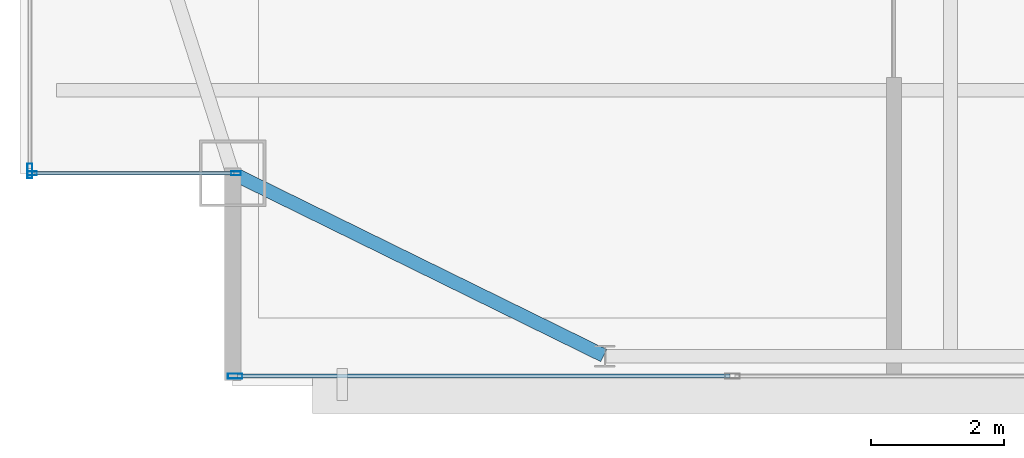
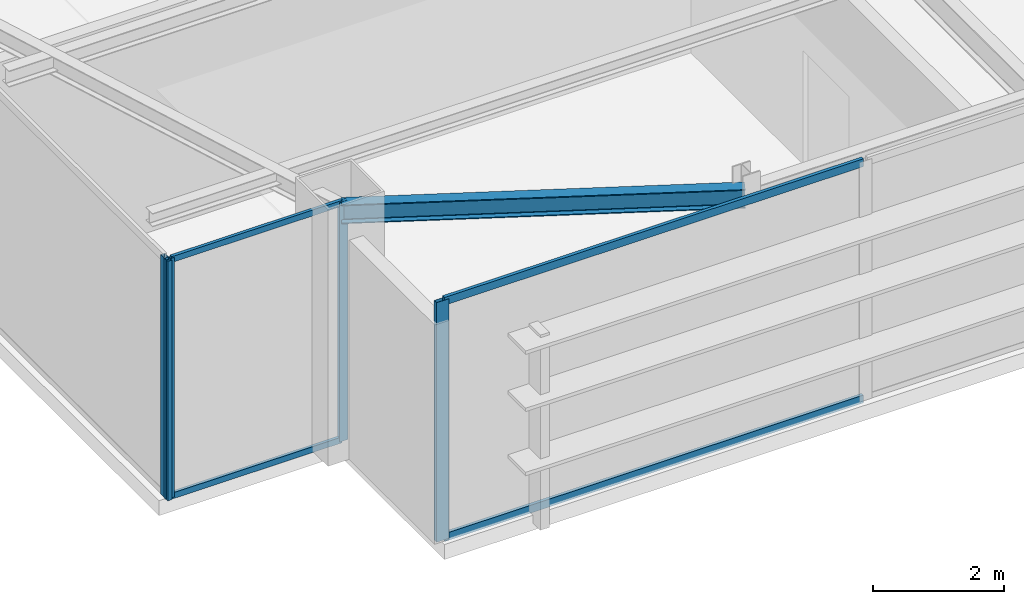
# One storey, part 4 of 20: 8 members, 1 beam, 3 elements without a shape of their own.
"""IFC4 building model written with IfcOpenShell, lengths in metres."""

from ifc_helpers import new_model, si_unit, direction, frame, origin, origin_2d, place, context, subcontext, project, spatial, hollow_rectangle, i_section, extrude, source, transform, mapped, material, layer, layer_set, material_profile, profile_set, type_object, type_shapes, element, aggregate, save


model = new_model("IFC4")

# Units and contexts
model_context = context("Model", 3, precision=1e-05, world=origin(), true_north=direction((0.0, 1.0)))
body_context = subcontext(model_context, "Body", "Model", "MODEL_VIEW")
ifc_project = project(units=[si_unit("LENGTHUNIT", "METRE"), si_unit("AREAUNIT", "SQUARE_METRE"), si_unit("VOLUMEUNIT", "CUBIC_METRE"), si_unit("PLANEANGLEUNIT", "RADIAN"), si_unit("MASSUNIT", "GRAM", prefix="KILO")], contexts=[model_context])

# Site, building, storey
site_placement = place(None, origin())
site = spatial("IfcSite", under=ifc_project, at=site_placement, CompositionType="ELEMENT")
building_placement = place(site_placement, origin())
building = spatial("IfcBuilding", under=site, at=building_placement, Name="Varnel Quay Broadcast Tower", CompositionType="ELEMENT")
storey_placement = place(building_placement, frame((0.0, 0.0, 309.800048828125)))
storey = spatial("IfcBuildingStorey", under=building, at=storey_placement, Name="L77", CompositionType="ELEMENT", Elevation=309.800048828125)

# Beam
ifc_material_1 = material(Name="Structural Steel CSA G40.21 350W", Category="steel")
ifc_material_profile_1 = material_profile(ifc_material_1, i_section(OverallWidth=0.205078125, OverallDepth=0.35400390625, WebThickness=0.009521484375, FlangeThickness=0.016845703125, FilletRadius=0.012939453125, at=origin_2d()), Name="W360X79")
ifc_profile_set_1 = profile_set([ifc_material_profile_1], Name="Structural Steel CSA G40.21 350W")
beam_type = type_object("IfcBeamType", Name="Beam_W360X79", PredefinedType="SPANDREL", material=ifc_profile_set_1)
shared_shape_1 = source(origin(), body_context, "Body", "SweptSolid", [
    extrude(i_section(OverallWidth=0.205078125, OverallDepth=0.35400390625, WebThickness=0.009521484375, FlangeThickness=0.016845703125, FilletRadius=0.012939453125, at=origin_2d()), origin(), (0.0, 0.0, 1.0), 6.19873046875),
])
type_shapes(beam_type, [shared_shape_1])
beam_placement = place(storey_placement, frame((15.218017578125, 16.39111328125, 4.302978515625), z_axis=(0.897602447358, -0.440805905697, 0.0), x_axis=(0.440805905697, 0.897602447358, 0.0)))
element("IfcBeam", 1, at=beam_placement, inside=storey, type_object=beam_type, Name="L77 South Spandrel MC-SW-TC-S1", PredefinedType="SPANDREL", context=body_context, shape_type="MappedRepresentation", body=[
    mapped(shared_shape_1, transform((0.0, 0.0, 0.0), x_axis=(1.0, 0.0, 0.0), y_axis=(0.0, 1.0, 0.0), z_axis=(0.0, 0.0, 1.0), scale=1.0)),
])

# Curtain wall, members
ifc_material_2 = material(Name="Anodised Bronze Aluminium 6063-T6", Category="aluminium")
ifc_layer_1 = layer(ifc_material_2, 0.18994140625, Name="Anodised Bronze Aluminium 6063-T6")
ifc_layer_set_1 = layer_set([ifc_layer_1], Name="Anodised Bronze Aluminium 6063-T6")
curtain_wall_type_1 = type_object("IfcCurtainWallType", Name="CW_NotchCorner", PredefinedType="NOTDEFINED", material=ifc_layer_set_1)
curtain_wall_1_placement = place(storey_placement, origin())
curtain_wall_1 = element("IfcCurtainWall", 2, at=curtain_wall_1_placement, inside=storey, type_object=curtain_wall_type_1, Name="L77 SW Notch Curtain Wall", PredefinedType="NOTDEFINED")
ifc_material_profile_2 = material_profile(ifc_material_2, hollow_rectangle(XDim=0.054931640625, YDim=0.110107421875, WallThickness=0.0029296875, at=origin_2d()), Name="ALU55X110X3")
ifc_profile_set_2 = profile_set([ifc_material_profile_2], Name="Anodised Bronze Aluminium 6063-T6")
member_type_1 = type_object("IfcMemberType", Name="Tran_CWS-04", PredefinedType="USERDEFINED", material=ifc_profile_set_2)
shared_shape_2 = source(origin(), body_context, "Body", "SweptSolid", [
    extrude(hollow_rectangle(XDim=0.054931640625, YDim=0.110107421875, WallThickness=0.0029296875, at=origin_2d()), origin(), (0.0, 0.0, 1.0), 3.010009765625),
])
type_shapes(member_type_1, [shared_shape_2])
member_1_placement = place(storey_placement, frame((12.2099609375, 16.39990234375, 0.02734375), z_axis=(1.0, 0.0, 0.0), x_axis=(0.0, 1.0, 0.0)))
member_1 = element("IfcMember", 3, at=member_1_placement, type_object=member_type_1, Name="CWS-04 transom 1.1", ObjectType="TRANSOM", PredefinedType="USERDEFINED", context=body_context, shape_type="MappedRepresentation", body=[
    mapped(shared_shape_2, transform((0.0, 0.0, 0.0), x_axis=(1.0, 0.0, 0.0), y_axis=(0.0, 1.0, 0.0), z_axis=(0.0, 0.0, 1.0), scale=1.0)),
])
member_2_placement = place(storey_placement, frame((12.2099609375, 16.39990234375, 4.452392578125), z_axis=(1.0, 0.0, 0.0), x_axis=(0.0, 1.0, 0.0)))
member_2 = element("IfcMember", 4, at=member_2_placement, type_object=member_type_1, Name="CWS-04 transom 1.2", ObjectType="TRANSOM", PredefinedType="USERDEFINED", context=body_context, shape_type="MappedRepresentation", body=[
    mapped(shared_shape_2, transform((0.0, 0.0, 0.0), x_axis=(1.0, 0.0, 0.0), y_axis=(0.0, 1.0, 0.0), z_axis=(0.0, 0.0, 1.0), scale=1.0)),
])

ifc_layer_2 = layer(ifc_material_2, 0.18994140625, Name="Anodised Bronze Aluminium 6063-T6")
ifc_layer_set_2 = layer_set([ifc_layer_2], Name="Anodised Bronze Aluminium 6063-T6")
curtain_wall_type_2 = type_object("IfcCurtainWallType", Name="CW_SkyObsHighVis", PredefinedType="NOTDEFINED", material=ifc_layer_set_2)
curtain_wall_2_placement = place(storey_placement, origin())
curtain_wall_2 = element("IfcCurtainWall", 5, at=curtain_wall_2_placement, inside=storey, type_object=curtain_wall_type_2, Name="L77 South Unitised Curtain Wall 1", PredefinedType="NOTDEFINED")
ifc_material_profile_3 = material_profile(ifc_material_2, hollow_rectangle(XDim=0.06005859375, YDim=0.14501953125, WallThickness=0.00341796875, at=origin_2d()), Name="ALU60X145X3.5")
ifc_profile_set_3 = profile_set([ifc_material_profile_3], Name="Anodised Bronze Aluminium 6063-T6")
member_type_2 = type_object("IfcMemberType", Name="Tran_CWS-05", PredefinedType="USERDEFINED", material=ifc_profile_set_3)
shared_shape_3 = source(origin(), body_context, "Body", "SweptSolid", [
    extrude(hollow_rectangle(XDim=0.06005859375, YDim=0.14501953125, WallThickness=0.00341796875, at=origin_2d()), origin(), (0.0, 0.0, 1.0), 7.40771484375),
])
type_shapes(member_type_2, [shared_shape_3])
member_3_placement = place(storey_placement, frame((15.27490234375, 13.35009765625, 0.030029296875), z_axis=(1.0, 0.0, 0.0), x_axis=(0.0, 1.0, 0.0)))
member_3 = element("IfcMember", 6, at=member_3_placement, type_object=member_type_2, Name="CWS-05 transom 1.1", ObjectType="TRANSOM", PredefinedType="USERDEFINED", context=body_context, shape_type="MappedRepresentation", body=[
    mapped(shared_shape_3, transform((0.0, 0.0, 0.0), x_axis=(1.0, 0.0, 0.0), y_axis=(0.0, 1.0, 0.0), z_axis=(0.0, 0.0, 1.0), scale=1.0)),
])
member_4_placement = place(storey_placement, frame((15.27490234375, 13.35009765625, 4.449951171875), z_axis=(1.0, 0.0, 0.0), x_axis=(0.0, 1.0, 0.0)))
member_4 = element("IfcMember", 7, at=member_4_placement, type_object=member_type_2, Name="CWS-05 transom 1.2", ObjectType="TRANSOM", PredefinedType="USERDEFINED", context=body_context, shape_type="MappedRepresentation", body=[
    mapped(shared_shape_3, transform((0.0, 0.0, 0.0), x_axis=(1.0, 0.0, 0.0), y_axis=(0.0, 1.0, 0.0), z_axis=(0.0, 0.0, 1.0), scale=1.0)),
])
ifc_material_profile_4 = material_profile(ifc_material_2, hollow_rectangle(XDim=0.074951171875, YDim=0.219970703125, WallThickness=0.00390625, at=origin_2d()), Name="ALU75X220X4")
ifc_profile_set_4 = profile_set([ifc_material_profile_4], Name="Anodised Bronze Aluminium 6063-T6")
member_type_3 = type_object("IfcMemberType", Name="Mull_CWS-05", PredefinedType="MULLION", material=ifc_profile_set_4)
shared_shape_4 = source(origin(), body_context, "Body", "SweptSolid", [
    extrude(hollow_rectangle(XDim=0.074951171875, YDim=0.219970703125, WallThickness=0.00390625, at=origin_2d()), origin(), (0.0, 0.0, 1.0), 4.47998046875),
])
type_shapes(member_type_3, [shared_shape_4])
member_5_placement = place(storey_placement, frame((15.237548828125, 13.35009765625, 0.0), z_axis=(0.0, 0.0, 1.0), x_axis=(0.0, 1.0, 0.0)))
member_5 = element("IfcMember", 8, at=member_5_placement, type_object=member_type_3, Name="CWS-05 mullion 1", PredefinedType="MULLION", context=body_context, shape_type="MappedRepresentation", body=[
    mapped(shared_shape_4, transform((0.0, 0.0, 0.0), x_axis=(1.0, 0.0, 0.0), y_axis=(0.0, 1.0, 0.0), z_axis=(0.0, 0.0, 1.0), scale=1.0)),
])
aggregate(curtain_wall_2, [member_5, member_3, member_4])

# Curtain wall, member
curtain_wall_3_placement = place(storey_placement, origin())
curtain_wall_3 = element("IfcCurtainWall", 9, at=curtain_wall_3_placement, inside=storey, type_object=curtain_wall_type_2, Name="L77 West Unitised Curtain Wall", PredefinedType="NOTDEFINED")
member_6_placement = place(storey_placement, frame((12.14990234375, 16.4375, 0.0), z_axis=(0.0, 0.0, 1.0), x_axis=(-1.0, 0.0, 0.0)))
member_6 = element("IfcMember", 10, at=member_6_placement, type_object=member_type_3, Name="CWS-05 mullion 1", PredefinedType="MULLION", context=body_context, shape_type="MappedRepresentation", body=[
    mapped(shared_shape_4, transform((0.0, 0.0, 0.0), x_axis=(1.0, 0.0, 0.0), y_axis=(0.0, 1.0, 0.0), z_axis=(0.0, 0.0, 1.0), scale=1.0)),
])
aggregate(curtain_wall_3, [member_6])

# Member
ifc_material_profile_5 = material_profile(ifc_material_2, hollow_rectangle(XDim=0.06005859375, YDim=0.14501953125, WallThickness=0.00341796875, at=origin_2d()), Name="ALU60X145X3.5")
ifc_profile_set_5 = profile_set([ifc_material_profile_5], Name="Anodised Bronze Aluminium 6063-T6")
member_type_4 = type_object("IfcMemberType", Name="Mull_CWS-04", PredefinedType="MULLION", material=ifc_profile_set_5)
shared_shape_5 = source(origin(), body_context, "Body", "SweptSolid", [
    extrude(hollow_rectangle(XDim=0.06005859375, YDim=0.14501953125, WallThickness=0.00341796875, at=origin_2d()), origin(), (0.0, 0.0, 1.0), 4.47998046875),
])
type_shapes(member_type_4, [shared_shape_5])
member_7_placement = place(storey_placement, frame((12.179931640625, 16.39990234375, 0.0), z_axis=(0.0, 0.0, 1.0), x_axis=(0.0, 1.0, 0.0)))
member_7 = element("IfcMember", 11, at=member_7_placement, type_object=member_type_4, Name="CWS-04 mullion 1", PredefinedType="MULLION", context=body_context, shape_type="MappedRepresentation", body=[
    mapped(shared_shape_5, transform((0.0, 0.0, 0.0), x_axis=(1.0, 0.0, 0.0), y_axis=(0.0, 1.0, 0.0), z_axis=(0.0, 0.0, 1.0), scale=1.0)),
])

member_8_placement = place(storey_placement, frame((15.25, 16.39990234375, 0.0), z_axis=(0.0, 0.0, 1.0), x_axis=(0.0, 1.0, 0.0)))
member_8 = element("IfcMember", 12, at=member_8_placement, type_object=member_type_4, Name="CWS-04 mullion 2", PredefinedType="MULLION", context=body_context, shape_type="MappedRepresentation", body=[
    mapped(shared_shape_5, transform((0.0, 0.0, 0.0), x_axis=(1.0, 0.0, 0.0), y_axis=(0.0, 1.0, 0.0), z_axis=(0.0, 0.0, 1.0), scale=1.0)),
])

aggregate(curtain_wall_1, [member_7, member_8, member_1, member_2])

save(model, "model.ifc")
